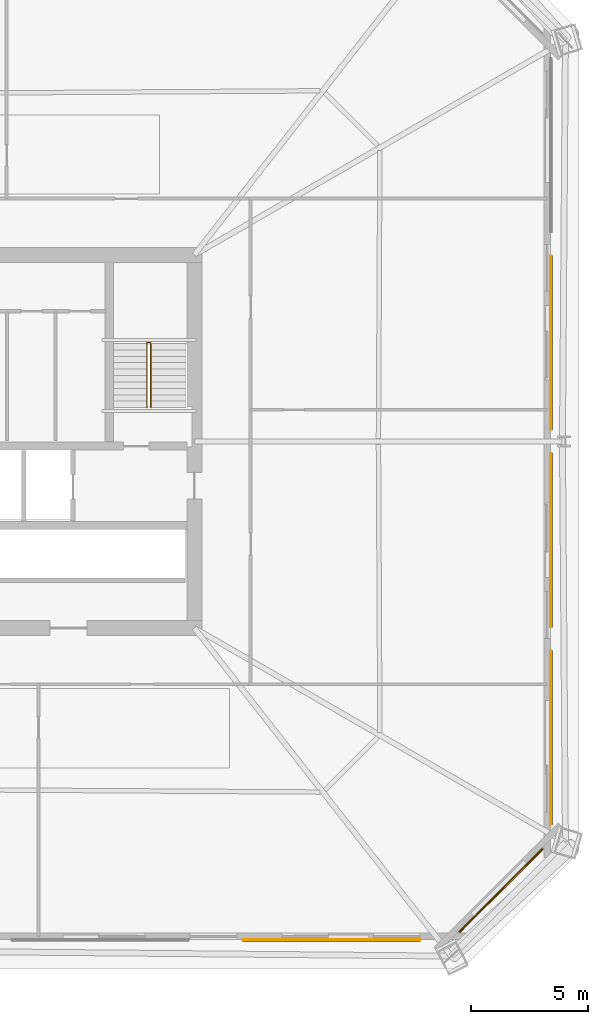
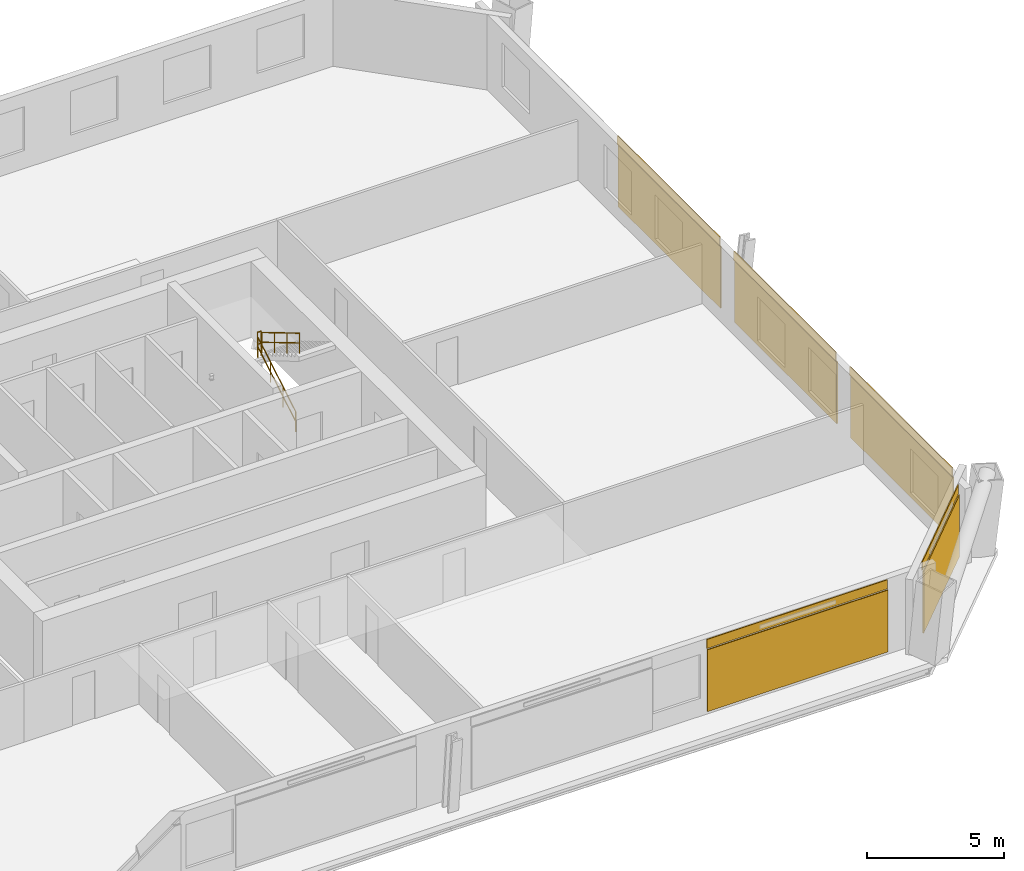
# One storey, part 9 of 10: 5 coverings, 5 shading devices, 3 railings.
"""IFC4 building model written with IfcOpenShell, lengths in metres."""

from ifc_helpers import new_model, si_unit, direction, frame, origin, origin_2d, place, context, subcontext, project, spatial, rectangle, circle, extrude, material, layer, layer_set, type_object, element, save


model = new_model("IFC4")

# Units and contexts
model_context = context("Model", 3, precision=1e-05, world=origin(), true_north=direction((0.0, 1.0)))
body_context = subcontext(model_context, "Body", "Model", "MODEL_VIEW")
ifc_project = project(units=[si_unit("LENGTHUNIT", "METRE"), si_unit("AREAUNIT", "SQUARE_METRE"), si_unit("VOLUMEUNIT", "CUBIC_METRE"), si_unit("PLANEANGLEUNIT", "RADIAN"), si_unit("MASSUNIT", "GRAM", prefix="KILO")], contexts=[model_context])

# Site, building, storey
site_placement = place(None, origin())
site = spatial("IfcSite", under=ifc_project, at=site_placement, CompositionType="ELEMENT")
building_placement = place(site_placement, origin())
building = spatial("IfcBuilding", under=site, at=building_placement, Name="Caelvoria Tower", CompositionType="ELEMENT")
storey_placement = place(building_placement, frame((0.0, 0.0, 56.800048828125)))
storey = spatial("IfcBuildingStorey", under=building, at=storey_placement, Name="L14", CompositionType="ELEMENT", Elevation=56.800048828125)

# Coverings
ifc_material_1 = material(Name="Perforated Architectural Bronze Cladding Screen", Category="bronze")
ifc_layer_1 = layer(ifc_material_1, 0.0400390625, Name="Perforated Architectural Bronze Cladding Screen")
ifc_layer_set_1 = layer_set([ifc_layer_1], Name="Perforated Bronze Louvre Cladding Band 40 - Perforated Architectural Bronze Cladding Screen")
covering_type = type_object("IfcCoveringType", Name="Perforated Bronze Louvre Cladding Band 40", PredefinedType="CLADDING", material=ifc_layer_set_1)
covering_1_placement = place(storey_placement, frame((60.8798828125, 10.6279296875, 2.93994140625), z_axis=(0.0, 0.0, 1.0), x_axis=(1.0, 0.0, 0.0)))
element("IfcCovering", 1, at=covering_1_placement, inside=storey, type_object=covering_type, Name="Perforated Bronze Screen Band L14-E0-03", PredefinedType="CLADDING", context=body_context, shape_type="SweptSolid", body=[
    extrude(rectangle(XDim=7.60009765625, YDim=0.0400390625, at=origin_2d()), origin(), (0.0, 0.0, 1.0), 0.39990234375),
])
covering_2_placement = place(storey_placement, frame((68.131591796875, 12.768310546875, 2.93994140625), z_axis=(0.0, 0.0, 1.0), x_axis=(0.707106781187, 0.707106781187, 0.0)))
element("IfcCovering", 2, at=covering_2_placement, inside=storey, type_object=covering_type, Name="Perforated Bronze Screen Band L14-E1-00", PredefinedType="CLADDING", context=body_context, shape_type="SweptSolid", body=[
    extrude(rectangle(XDim=5.060791015625, YDim=0.0400390625, at=origin_2d()), origin(), (0.0, 0.0, 1.0), 0.39990234375),
])
for number, where, z_axis, x_axis, name in (
    (3, (70.27197265625, 19.294921875, 2.93994140625), (0.0, 0.0, 1.0), (0.0, 1.0, 0.0), "Perforated Bronze Screen Band L14-E2-00"),
    (4, (70.27197265625, 27.764892578125, 2.93994140625), (0.0, 0.0, 1.0), (0.0, 1.0, 0.0), "Perforated Bronze Screen Band L14-E2-01"),
    (5, (70.27197265625, 36.235107421875, 2.93994140625), (0.0, 0.0, 1.0), (0.0, 1.0, 0.0), "Perforated Bronze Screen Band L14-E2-02"),
):
    element("IfcCovering", number, at=place(storey_placement, frame(where, z_axis=z_axis, x_axis=x_axis)), inside=storey, type_object=covering_type, Name=name, PredefinedType="CLADDING", context=body_context, shape_type="SweptSolid", body=[
        extrude(rectangle(XDim=7.45361328125, YDim=0.0400390625, at=origin_2d()), origin(), (0.0, 0.0, 1.0), 0.39990234375),
    ])

# Shading devices
ifc_material_2 = material(Name="Perforated Architectural Bronze Alloy Panel", Category="bronze")
ifc_layer_2 = layer(ifc_material_2, 0.044921875, Name="Perforated Architectural Bronze Alloy Panel")
ifc_layer_set_2 = layer_set([ifc_layer_2], Name="Perforated Bronze Solar Screen Panel SCREEN - Perforated Architectural Bronze Alloy Panel")
shading_device_type = type_object("IfcShadingDeviceType", Name="Perforated Bronze Solar Screen Panel SCREEN", PredefinedType="USERDEFINED", material=ifc_layer_set_2)
shading_device_1_placement = place(storey_placement, frame((60.8798828125, 10.5849609375, 0.159912109375), z_axis=(0.0, 0.0, 1.0), x_axis=(1.0, 0.0, 0.0)))
element("IfcShadingDevice", 6, at=shading_device_1_placement, inside=storey, type_object=shading_device_type, Name="Perforated Bronze Solar Screen L14-E0-03", ObjectType="SCREEN", PredefinedType="USERDEFINED", context=body_context, shape_type="SweptSolid", body=[
    extrude(rectangle(XDim=7.60009765625, YDim=0.044921875, at=origin_2d()), origin(), (0.0, 0.0, 1.0), 2.75),
])
shading_device_2_placement = place(storey_placement, frame((68.162109375, 12.73779296875, 0.159912109375), z_axis=(0.0, 0.0, 1.0), x_axis=(0.707106781187, 0.707106781187, 0.0)))
element("IfcShadingDevice", 7, at=shading_device_2_placement, inside=storey, type_object=shading_device_type, Name="Perforated Bronze Solar Screen L14-E1-00", ObjectType="SCREEN", PredefinedType="USERDEFINED", context=body_context, shape_type="SweptSolid", body=[
    extrude(rectangle(XDim=5.060791015625, YDim=0.044921875, at=origin_2d()), origin(), (0.0, 0.0, 1.0), 2.75),
])
for number, where, z_axis, x_axis, name in (
    (8, (70.31494140625, 19.294921875, 0.159912109375), (0.0, 0.0, 1.0), (0.0, 1.0, 0.0), "Perforated Bronze Solar Screen L14-E2-00"),
    (9, (70.31494140625, 27.764892578125, 0.159912109375), (0.0, 0.0, 1.0), (0.0, 1.0, 0.0), "Perforated Bronze Solar Screen L14-E2-01"),
    (10, (70.31494140625, 36.235107421875, 0.159912109375), (0.0, 0.0, 1.0), (0.0, 1.0, 0.0), "Perforated Bronze Solar Screen L14-E2-02"),
):
    element("IfcShadingDevice", number, at=place(storey_placement, frame(where, z_axis=z_axis, x_axis=x_axis)), inside=storey, type_object=shading_device_type, Name=name, ObjectType="SCREEN", PredefinedType="USERDEFINED", context=body_context, shape_type="SweptSolid", body=[
        extrude(rectangle(XDim=7.45361328125, YDim=0.044921875, at=origin_2d()), origin(), (0.0, 0.0, 1.0), 2.75),
    ])

# Railings
ifc_material_3 = material(Name="Brushed Stainless Steel Tube", Category="steel")
railing_type_1 = type_object("IfcRailingType", Name="Stair Tubular Stainless Handrail 920", PredefinedType="HANDRAIL", material=ifc_material_3)
railing_1_placement = place(storey_placement, frame((52.969970703125, 33.449951171875, 0.16357421875)))
element("IfcRailing", 11, at=railing_1_placement, inside=storey, type_object=railing_type_1, Name="ST-02 Flight 1 Handrail L14", PredefinedType="HANDRAIL", context=body_context, shape_type="SweptSolid", body=[
    extrude(circle(Radius=0.02392578125, at=origin_2d()), frame((0.0, 0.0, 0.89599609375), z_axis=(0.0, 0.859351957796, 0.511384603436), x_axis=(-1.0, 0.0, 0.0)), (0.0, 0.0, 1.0), 3.2001953125),
    extrude(circle(Radius=0.02392578125, at=origin_2d()), frame((0.0, 0.0, 0.4599609375), z_axis=(0.0, 0.859351957796, 0.511384603436), x_axis=(-1.0, 0.0, 0.0)), (0.0, 0.0, 1.0), 3.2001953125),
    extrude(circle(Radius=0.02099609375, at=origin_2d()), origin(), (0.0, 0.0, 1.0), 0.871826171875),
    extrude(circle(Radius=0.02099609375, at=origin_2d()), frame((0.0, 0.916748046875, 0.54541015625)), (0.0, 0.0, 1.0), 0.871826171875),
    extrude(circle(Radius=0.02099609375, at=origin_2d()), frame((0.0, 1.833251953125, 1.091064453125)), (0.0, 0.0, 1.0), 0.871826171875),
    extrude(circle(Radius=0.02099609375, at=origin_2d()), frame((0.0, 2.75, 1.636474609375)), (0.0, 0.0, 1.0), 0.871826171875),
])
railing_2_placement = place(storey_placement, frame((53.1298828125, 36.199951171875, 1.963623046875)))
element("IfcRailing", 12, at=railing_2_placement, inside=storey, type_object=railing_type_1, Name="ST-02 Flight 2 Handrail L14", PredefinedType="HANDRAIL", context=body_context, shape_type="SweptSolid", body=[
    extrude(circle(Radius=0.02392578125, at=origin_2d()), frame((0.0, 0.0, 0.89599609375), z_axis=(0.0, -0.859385484447, 0.511328259656), x_axis=(1.0, 0.0, 0.0)), (0.0, 0.0, 1.0), 3.199951171875),
    extrude(circle(Radius=0.02392578125, at=origin_2d()), frame((0.0, 0.0, 0.4599609375), z_axis=(0.0, -0.859385484447, 0.511328259656), x_axis=(1.0, 0.0, 0.0)), (0.0, 0.0, 1.0), 3.199951171875),
    extrude(circle(Radius=0.02099609375, at=origin_2d()), origin(), (0.0, 0.0, 1.0), 0.871826171875),
    extrude(circle(Radius=0.02099609375, at=origin_2d()), frame((0.0, -0.916748046875, 0.54541015625)), (0.0, 0.0, 1.0), 0.871826171875),
    extrude(circle(Radius=0.02099609375, at=origin_2d()), frame((0.0, -1.833251953125, 1.0908203125)), (0.0, 0.0, 1.0), 0.871826171875),
    extrude(circle(Radius=0.02099609375, at=origin_2d()), frame((0.0, -2.75, 1.63623046875)), (0.0, 0.0, 1.0), 0.871826171875),
])
ifc_material_4 = material(Name="Brushed Stainless Steel Guardrail", Category="steel")
railing_type_2 = type_object("IfcRailingType", Name="Stair Well and Ramp Guardrail 1120", PredefinedType="GUARDRAIL", material=ifc_material_4)
railing_3_placement = place(storey_placement, frame((52.969970703125, 36.239990234375, 1.800048828125)))
element("IfcRailing", 13, at=railing_3_placement, inside=storey, type_object=railing_type_2, Name="ST-02 Half-Landing Well Guard L14", PredefinedType="GUARDRAIL", context=body_context, shape_type="SweptSolid", body=[
    extrude(circle(Radius=0.02392578125, at=origin_2d()), frame((0.0, 0.0, 1.09619140625), z_axis=(1.0, 0.0, 0.0), x_axis=(0.0, 1.0, 0.0)), (0.0, 0.0, 1.0), 0.159912109375),
    extrude(circle(Radius=0.02392578125, at=origin_2d()), frame((0.0, 0.0, 0.56005859375), z_axis=(1.0, 0.0, 0.0), x_axis=(0.0, 1.0, 0.0)), (0.0, 0.0, 1.0), 0.159912109375),
    extrude(circle(Radius=0.02099609375, at=origin_2d()), origin(), (0.0, 0.0, 1.0), 1.072021484375),
    extrude(circle(Radius=0.02099609375, at=origin_2d()), frame((0.159912109375, 0.0, 0.0)), (0.0, 0.0, 1.0), 1.072021484375),
])

save(model, "model.ifc")
